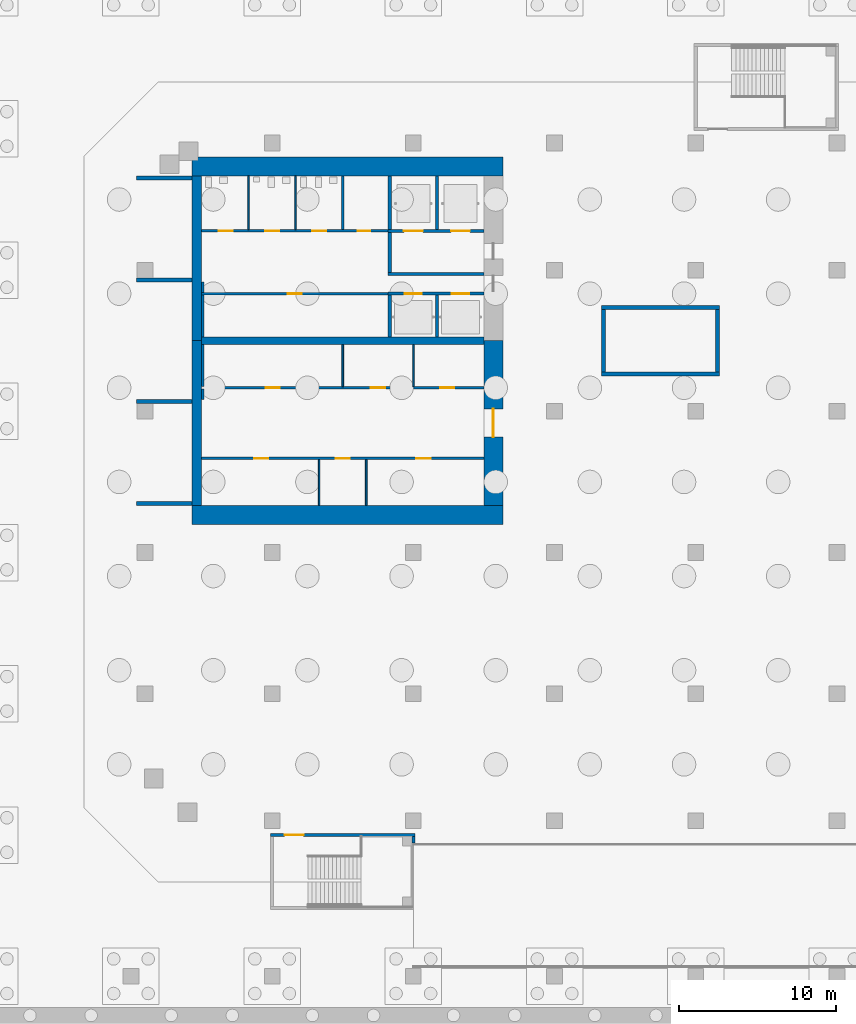
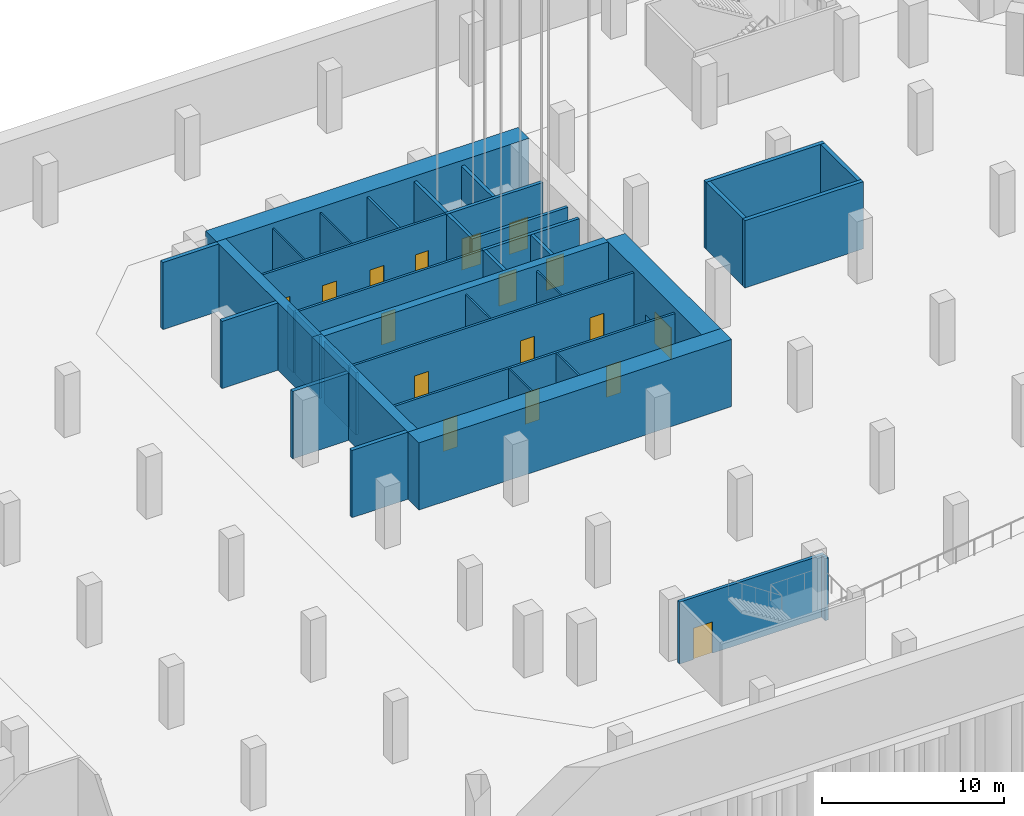
# One storey, part 20 of 30: 39 walls, 17 doors, 17 openings.
"""IFC4 building model written with IfcOpenShell, lengths in metres."""

from ifc_helpers import new_model, si_unit, direction, frame, frame_2d, origin, place, context, subcontext, project, spatial, rectangle, extrude, material, layer, layer_set, type_object, element, fill, save


model = new_model("IFC4")

# Units and contexts
model_context = context("Model", 3, precision=1e-05, world=origin(), true_north=direction((0.0, 1.0)))
body_context = subcontext(model_context, "Body", "Model", "MODEL_VIEW")
ifc_project = project(units=[si_unit("LENGTHUNIT", "METRE"), si_unit("AREAUNIT", "SQUARE_METRE"), si_unit("VOLUMEUNIT", "CUBIC_METRE"), si_unit("PLANEANGLEUNIT", "RADIAN"), si_unit("MASSUNIT", "GRAM", prefix="KILO")], contexts=[model_context])

# Site, building, storey
site_placement = place(None, origin())
site = spatial("IfcSite", under=ifc_project, at=site_placement, CompositionType="ELEMENT")
building_placement = place(site_placement, origin())
building = spatial("IfcBuilding", under=site, at=building_placement, Name="Cinnabar Reach Civic Tower", CompositionType="ELEMENT")
storey_placement = place(building_placement, frame((0.0, 0.0, -14.0)))
storey = spatial("IfcBuildingStorey", under=building, at=storey_placement, Name="B3", CompositionType="ELEMENT", Elevation=-14.0)

# Walls
ifc_material_1 = material(Name="Concrete C70", Category="concrete")
ifc_layer_1 = layer(ifc_material_1, 1.2)
ifc_layer_set_1 = layer_set([ifc_layer_1], Name="Core wall 1200 EI 180")
wall_type_1 = type_object("IfcWallType", Name="Core wall 1200 EI 180", PredefinedType="SOLIDWALL", material=ifc_layer_set_1)
for number, where, z_axis, x_axis, name in (
    (1, (3.9, 20.4, 0.0), (0.0, 0.0, 1.0), (1.0, 0.0, 0.0), "Core wall T1 B3 S"),
    (2, (23.7, 42.6, 0.0), (0.0, 0.0, 1.0), (-1.0, 0.0, 0.0), "Core wall T1 B3 N"),
):
    element("IfcWall", number, at=place(storey_placement, frame(where, z_axis=z_axis, x_axis=x_axis)), inside=storey, type_object=wall_type_1, Name=name, PredefinedType="SOLIDWALL", context=body_context, shape_type="SweptSolid", body=[
        extrude(rectangle(XDim=19.8, YDim=1.2, at=frame_2d((9.9, 0.0))), origin(), (0.0, 0.0, 1.0), 4.5),
    ])

# Wall, opening, door
wall_1_placement = place(storey_placement, frame((23.1, 21.0, 0.0), z_axis=(0.0, 0.0, 1.0), x_axis=(0.0, 1.0, 0.0)))
wall_1 = element("IfcWall", 3, at=wall_1_placement, inside=storey, type_object=wall_type_1, Name="Core wall T1 B3 E", PredefinedType="SOLIDWALL", context=body_context, shape_type="SweptSolid", body=[
    extrude(rectangle(XDim=10.5, YDim=1.2, at=frame_2d((5.25, 0.0))), origin(), (0.0, 0.0, 1.0), 4.5),
])
opening_1_placement = place(wall_1_placement, frame((4.35, 0.0, 0.0)))
opening_1 = element("IfcOpeningElement", 4, at=opening_1_placement, cuts=wall_1, Name="Opening D3004", PredefinedType="OPENING", context=body_context, shape_type="SweptSolid", body=[
    extrude(rectangle(XDim=1.8, YDim=2.1, at=frame_2d((0.9, 1.05))), frame((0.0, 0.61, 0.0), z_axis=(0.0, -1.0, 0.0), x_axis=(1.0, 0.0, 0.0)), (0.0, 0.0, 1.0), 1.22),
])
ifc_material_2 = material(Name="Timber door leaf in steel frame", Category="steel")
door_type_1 = type_object("IfcDoorType", Name="Double swing door 1800 x 2100 T1", OperationType="DOUBLE_DOOR_DOUBLE_SWING", PredefinedType="DOOR", material=ifc_material_2)
door_1_placement = place(opening_1_placement, frame((1.8, 0.0, 0.0), z_axis=(0.0, 0.0, 1.0), x_axis=(-1.0, 0.0, 0.0)))
door_1 = element("IfcDoor", 5, at=door_1_placement, inside=storey, type_object=door_type_1, Name="Door D3004", OperationType="DOUBLE_DOOR_DOUBLE_SWING", OverallHeight=2.1, OverallWidth=1.8, PredefinedType="DOOR", context=body_context, shape_type="SweptSolid", body=[
    extrude(rectangle(XDim=1.8, YDim=2.1, at=frame_2d((0.9, 1.05))), frame((0.0, 0.025, 0.0), z_axis=(0.0, -1.0, 0.0), x_axis=(1.0, 0.0, 0.0)), (0.0, 0.0, 1.0), 0.05),
])
fill(opening_1, door_1)

# Walls
ifc_material_3 = material(Name="Concrete C60", Category="concrete")
ifc_layer_2 = layer(ifc_material_3, 0.5)
ifc_layer_set_2 = layer_set([ifc_layer_2], Name="Core wall 500 EI 180")
wall_type_2 = type_object("IfcWallType", Name="Core wall 500 EI 180", PredefinedType="SOLIDWALL", material=ifc_layer_set_2)
wall_2_placement = place(storey_placement, frame((4.5, 31.5, 0.0), z_axis=(0.0, 0.0, 1.0), x_axis=(1.0, 0.0, 0.0)))
element("IfcWall", 6, at=wall_2_placement, inside=storey, type_object=wall_type_2, Name="Core spine wall T1 B3", PredefinedType="SOLIDWALL", context=body_context, shape_type="SweptSolid", body=[
    extrude(rectangle(XDim=18.0, YDim=0.5, at=frame_2d((9.0, 0.0))), origin(), (0.0, 0.0, 1.0), 4.5),
])
ifc_layer_3 = layer(ifc_material_1, 0.6)
ifc_layer_set_3 = layer_set([ifc_layer_3], Name="Core wall 600 EI 180")
wall_type_3 = type_object("IfcWallType", Name="Core wall 600 EI 180", PredefinedType="SOLIDWALL", material=ifc_layer_set_3)
for number, where, z_axis, x_axis, name in (
    (7, (4.2, 42.0, 0.0), (0.0, 0.0, 1.0), (0.0, -1.0, 0.0), "Core wall T1 B3 W"),
    (8, (4.2, 31.5, 0.0), (0.0, 0.0, 1.0), (0.0, -1.0, 0.0), "Core wall T1 B3 W2"),
):
    element("IfcWall", number, at=place(storey_placement, frame(where, z_axis=z_axis, x_axis=x_axis)), inside=storey, type_object=wall_type_3, Name=name, PredefinedType="SOLIDWALL", context=body_context, shape_type="SweptSolid", body=[
        extrude(rectangle(XDim=10.5, YDim=0.6, at=frame_2d((5.25, 0.0))), origin(), (0.0, 0.0, 1.0), 4.5),
    ])

# Wall, openings, doors
ifc_material_4 = material(Name="Gypsum board on steel studs, double layer", Category="steel")
ifc_layer_4 = layer(ifc_material_4, 0.15)
ifc_layer_set_4 = layer_set([ifc_layer_4], Name="Corridor wall 150 T1")
wall_type_4 = type_object("IfcWallType", Name="Corridor wall 150 T1", PredefinedType="PARTITIONING", material=ifc_layer_set_4)
wall_3_placement = place(storey_placement, frame((4.5, 24.0, 0.0), z_axis=(0.0, 0.0, 1.0), x_axis=(1.0, 0.0, 0.0)))
wall_3 = element("IfcWall", 9, at=wall_3_placement, inside=storey, type_object=wall_type_4, Name="Corridor wall 9", PredefinedType="PARTITIONING", context=body_context, shape_type="SweptSolid", body=[
    extrude(rectangle(XDim=18.0, YDim=0.15, at=frame_2d((9.0, 0.0))), origin(), (0.0, 0.0, 1.0), 4.15),
])
opening_2_placement = place(wall_3_placement, frame((3.35, 0.0, 0.0)))
opening_2 = element("IfcOpeningElement", 10, at=opening_2_placement, cuts=wall_3, Name="Opening D3007", PredefinedType="OPENING", context=body_context, shape_type="SweptSolid", body=[
    extrude(rectangle(XDim=0.9, YDim=2.1, at=frame_2d((0.45, 1.05))), frame((0.0, 0.085, 0.0), z_axis=(0.0, -1.0, 0.0), x_axis=(1.0, 0.0, 0.0)), (0.0, 0.0, 1.0), 0.17),
])
opening_3_placement = place(wall_3_placement, frame((8.55, 0.0, 0.0)))
opening_3 = element("IfcOpeningElement", 11, at=opening_3_placement, cuts=wall_3, Name="Opening D3008", PredefinedType="OPENING", context=body_context, shape_type="SweptSolid", body=[
    extrude(rectangle(XDim=0.9, YDim=2.1, at=frame_2d((0.45, 1.05))), frame((0.0, 0.085, 0.0), z_axis=(0.0, -1.0, 0.0), x_axis=(1.0, 0.0, 0.0)), (0.0, 0.0, 1.0), 0.17),
])
opening_4_placement = place(wall_3_placement, frame((13.7, 0.0, 0.0)))
opening_4 = element("IfcOpeningElement", 12, at=opening_4_placement, cuts=wall_3, Name="Opening D3009", PredefinedType="OPENING", context=body_context, shape_type="SweptSolid", body=[
    extrude(rectangle(XDim=0.9, YDim=2.1, at=frame_2d((0.45, 1.05))), frame((0.0, 0.085, 0.0), z_axis=(0.0, -1.0, 0.0), x_axis=(1.0, 0.0, 0.0)), (0.0, 0.0, 1.0), 0.17),
])
door_type_2 = type_object("IfcDoorType", Name="Single swing door 900 x 2100 corridor T1", OperationType="SINGLE_SWING_LEFT", PredefinedType="DOOR", material=ifc_material_2)
door_2_placement = place(opening_2_placement, frame((0.9, 0.0, 0.0), z_axis=(0.0, 0.0, 1.0), x_axis=(-1.0, 0.0, 0.0)))
door_2 = element("IfcDoor", 13, at=door_2_placement, inside=storey, type_object=door_type_2, Name="Door D3007", OperationType="SINGLE_SWING_LEFT", OverallHeight=2.1, OverallWidth=0.9, PredefinedType="DOOR", context=body_context, shape_type="SweptSolid", body=[
    extrude(rectangle(XDim=0.9, YDim=2.1, at=frame_2d((0.45, 1.05))), frame((0.0, 0.025, 0.0), z_axis=(0.0, -1.0, 0.0), x_axis=(1.0, 0.0, 0.0)), (0.0, 0.0, 1.0), 0.05),
])
fill(opening_2, door_2)
door_3_placement = place(opening_3_placement, frame((0.9, 0.0, 0.0), z_axis=(0.0, 0.0, 1.0), x_axis=(-1.0, 0.0, 0.0)))
door_3 = element("IfcDoor", 14, at=door_3_placement, inside=storey, type_object=door_type_2, Name="Door D3008", OperationType="SINGLE_SWING_LEFT", OverallHeight=2.1, OverallWidth=0.9, PredefinedType="DOOR", context=body_context, shape_type="SweptSolid", body=[
    extrude(rectangle(XDim=0.9, YDim=2.1, at=frame_2d((0.45, 1.05))), frame((0.0, 0.025, 0.0), z_axis=(0.0, -1.0, 0.0), x_axis=(1.0, 0.0, 0.0)), (0.0, 0.0, 1.0), 0.05),
])
fill(opening_3, door_3)
door_4_placement = place(opening_4_placement, frame((0.9, 0.0, 0.0), z_axis=(0.0, 0.0, 1.0), x_axis=(-1.0, 0.0, 0.0)))
door_4 = element("IfcDoor", 15, at=door_4_placement, inside=storey, type_object=door_type_2, Name="Door D3009", OperationType="SINGLE_SWING_LEFT", OverallHeight=2.1, OverallWidth=0.9, PredefinedType="DOOR", context=body_context, shape_type="SweptSolid", body=[
    extrude(rectangle(XDim=0.9, YDim=2.1, at=frame_2d((0.45, 1.05))), frame((0.0, 0.025, 0.0), z_axis=(0.0, -1.0, 0.0), x_axis=(1.0, 0.0, 0.0)), (0.0, 0.0, 1.0), 0.05),
])
fill(opening_4, door_4)

wall_4_placement = place(storey_placement, frame((4.5, 28.5, 0.0), z_axis=(0.0, 0.0, 1.0), x_axis=(1.0, 0.0, 0.0)))
wall_4 = element("IfcWall", 16, at=wall_4_placement, inside=storey, type_object=wall_type_4, Name="Corridor wall 10", PredefinedType="PARTITIONING", context=body_context, shape_type="SweptSolid", body=[
    extrude(rectangle(XDim=18.0, YDim=0.15, at=frame_2d((9.0, 0.0))), origin(), (0.0, 0.0, 1.0), 4.15),
])
opening_5_placement = place(wall_4_placement, frame((4.1, 0.0, 0.0)))
opening_5 = element("IfcOpeningElement", 17, at=opening_5_placement, cuts=wall_4, Name="Opening D3010", PredefinedType="OPENING", context=body_context, shape_type="SweptSolid", body=[
    extrude(rectangle(XDim=0.9, YDim=2.1, at=frame_2d((0.45, 1.05))), frame((0.0, 0.085, 0.0), z_axis=(0.0, -1.0, 0.0), x_axis=(1.0, 0.0, 0.0)), (0.0, 0.0, 1.0), 0.17),
])
opening_6_placement = place(wall_4_placement, frame((10.8, 0.0, 0.0)))
opening_6 = element("IfcOpeningElement", 18, at=opening_6_placement, cuts=wall_4, Name="Opening D3011", PredefinedType="OPENING", context=body_context, shape_type="SweptSolid", body=[
    extrude(rectangle(XDim=0.9, YDim=2.1, at=frame_2d((0.45, 1.05))), frame((0.0, 0.085, 0.0), z_axis=(0.0, -1.0, 0.0), x_axis=(1.0, 0.0, 0.0)), (0.0, 0.0, 1.0), 0.17),
])
opening_7_placement = place(wall_4_placement, frame((15.2, 0.0, 0.0)))
opening_7 = element("IfcOpeningElement", 19, at=opening_7_placement, cuts=wall_4, Name="Opening D3012", PredefinedType="OPENING", context=body_context, shape_type="SweptSolid", body=[
    extrude(rectangle(XDim=0.9, YDim=2.1, at=frame_2d((0.45, 1.05))), frame((0.0, 0.085, 0.0), z_axis=(0.0, -1.0, 0.0), x_axis=(1.0, 0.0, 0.0)), (0.0, 0.0, 1.0), 0.17),
])
door_5_placement = place(opening_5_placement, origin())
door_5 = element("IfcDoor", 20, at=door_5_placement, inside=storey, type_object=door_type_2, Name="Door D3010", OperationType="SINGLE_SWING_RIGHT", OverallHeight=2.1, OverallWidth=0.9, PredefinedType="DOOR", context=body_context, shape_type="SweptSolid", body=[
    extrude(rectangle(XDim=0.9, YDim=2.1, at=frame_2d((0.45, 1.05))), frame((0.0, 0.025, 0.0), z_axis=(0.0, -1.0, 0.0), x_axis=(1.0, 0.0, 0.0)), (0.0, 0.0, 1.0), 0.05),
])
fill(opening_5, door_5)
door_6_placement = place(opening_6_placement, origin())
door_6 = element("IfcDoor", 21, at=door_6_placement, inside=storey, type_object=door_type_2, Name="Door D3011", OperationType="SINGLE_SWING_LEFT", OverallHeight=2.1, OverallWidth=0.9, PredefinedType="DOOR", context=body_context, shape_type="SweptSolid", body=[
    extrude(rectangle(XDim=0.9, YDim=2.1, at=frame_2d((0.45, 1.05))), frame((0.0, 0.025, 0.0), z_axis=(0.0, -1.0, 0.0), x_axis=(1.0, 0.0, 0.0)), (0.0, 0.0, 1.0), 0.05),
])
fill(opening_6, door_6)
door_7_placement = place(opening_7_placement, origin())
door_7 = element("IfcDoor", 22, at=door_7_placement, inside=storey, type_object=door_type_2, Name="Door D3012", OperationType="SINGLE_SWING_RIGHT", OverallHeight=2.1, OverallWidth=0.9, PredefinedType="DOOR", context=body_context, shape_type="SweptSolid", body=[
    extrude(rectangle(XDim=0.9, YDim=2.1, at=frame_2d((0.45, 1.05))), frame((0.0, 0.025, 0.0), z_axis=(0.0, -1.0, 0.0), x_axis=(1.0, 0.0, 0.0)), (0.0, 0.0, 1.0), 0.05),
])
fill(opening_7, door_7)

# Wall, opening, door
wall_5_placement = place(storey_placement, frame((4.5, 34.5, 0.0), z_axis=(0.0, 0.0, 1.0), x_axis=(1.0, 0.0, 0.0)))
wall_5 = element("IfcWall", 23, at=wall_5_placement, inside=storey, type_object=wall_type_4, Name="Corridor wall 11", PredefinedType="PARTITIONING", context=body_context, shape_type="SweptSolid", body=[
    extrude(rectangle(XDim=11.9, YDim=0.15, at=frame_2d((5.95, 0.0))), origin(), (0.0, 0.0, 1.0), 4.15),
])
opening_8_placement = place(wall_5_placement, frame((5.5, 0.0, 0.0)))
opening_8 = element("IfcOpeningElement", 24, at=opening_8_placement, cuts=wall_5, Name="Opening D3013", PredefinedType="OPENING", context=body_context, shape_type="SweptSolid", body=[
    extrude(rectangle(XDim=0.9, YDim=2.1, at=frame_2d((0.45, 1.05))), frame((0.0, 0.085, 0.0), z_axis=(0.0, -1.0, 0.0), x_axis=(1.0, 0.0, 0.0)), (0.0, 0.0, 1.0), 0.17),
])
door_8_placement = place(opening_8_placement, frame((0.9, 0.0, 0.0), z_axis=(0.0, 0.0, 1.0), x_axis=(-1.0, 0.0, 0.0)))
door_8 = element("IfcDoor", 25, at=door_8_placement, inside=storey, type_object=door_type_2, Name="Door D3013", OperationType="SINGLE_SWING_RIGHT", OverallHeight=2.1, OverallWidth=0.9, PredefinedType="DOOR", context=body_context, shape_type="SweptSolid", body=[
    extrude(rectangle(XDim=0.9, YDim=2.1, at=frame_2d((0.45, 1.05))), frame((0.0, 0.025, 0.0), z_axis=(0.0, -1.0, 0.0), x_axis=(1.0, 0.0, 0.0)), (0.0, 0.0, 1.0), 0.05),
])
fill(opening_8, door_8)

# Wall, openings, doors
wall_6_placement = place(storey_placement, frame((4.5, 38.5, 0.0), z_axis=(0.0, 0.0, 1.0), x_axis=(1.0, 0.0, 0.0)))
wall_6 = element("IfcWall", 26, at=wall_6_placement, inside=storey, type_object=wall_type_4, Name="Corridor wall 12", PredefinedType="PARTITIONING", context=body_context, shape_type="SweptSolid", body=[
    extrude(rectangle(XDim=11.9, YDim=0.15, at=frame_2d((5.95, 0.0))), origin(), (0.0, 0.0, 1.0), 4.15),
])
opening_9_placement = place(wall_6_placement, frame((1.1, 0.0, 0.0)))
opening_9 = element("IfcOpeningElement", 27, at=opening_9_placement, cuts=wall_6, Name="Opening D3014", PredefinedType="OPENING", context=body_context, shape_type="SweptSolid", body=[
    extrude(rectangle(XDim=0.9, YDim=2.1, at=frame_2d((0.45, 1.05))), frame((0.0, 0.085, 0.0), z_axis=(0.0, -1.0, 0.0), x_axis=(1.0, 0.0, 0.0)), (0.0, 0.0, 1.0), 0.17),
])
opening_10_placement = place(wall_6_placement, frame((4.05, 0.0, 0.0)))
opening_10 = element("IfcOpeningElement", 28, at=opening_10_placement, cuts=wall_6, Name="Opening D3015", PredefinedType="OPENING", context=body_context, shape_type="SweptSolid", body=[
    extrude(rectangle(XDim=0.9, YDim=2.1, at=frame_2d((0.45, 1.05))), frame((0.0, 0.085, 0.0), z_axis=(0.0, -1.0, 0.0), x_axis=(1.0, 0.0, 0.0)), (0.0, 0.0, 1.0), 0.17),
])
opening_11_placement = place(wall_6_placement, frame((7.05, 0.0, 0.0)))
opening_11 = element("IfcOpeningElement", 29, at=opening_11_placement, cuts=wall_6, Name="Opening D3016", PredefinedType="OPENING", context=body_context, shape_type="SweptSolid", body=[
    extrude(rectangle(XDim=0.9, YDim=2.1, at=frame_2d((0.45, 1.05))), frame((0.0, 0.085, 0.0), z_axis=(0.0, -1.0, 0.0), x_axis=(1.0, 0.0, 0.0)), (0.0, 0.0, 1.0), 0.17),
])
opening_12_placement = place(wall_6_placement, frame((9.95, 0.0, 0.0)))
opening_12 = element("IfcOpeningElement", 30, at=opening_12_placement, cuts=wall_6, Name="Opening D3017", PredefinedType="OPENING", context=body_context, shape_type="SweptSolid", body=[
    extrude(rectangle(XDim=0.8, YDim=2.1, at=frame_2d((0.4, 1.05))), frame((0.0, 0.085, 0.0), z_axis=(0.0, -1.0, 0.0), x_axis=(1.0, 0.0, 0.0)), (0.0, 0.0, 1.0), 0.17),
])
door_type_3 = type_object("IfcDoorType", Name="Riser access door 800 x 2100 T1", OperationType="SINGLE_SWING_LEFT", PredefinedType="DOOR", material=ifc_material_2)
door_9_placement = place(opening_12_placement, origin())
door_9 = element("IfcDoor", 31, at=door_9_placement, inside=storey, type_object=door_type_3, Name="Door D3017", OperationType="SINGLE_SWING_RIGHT", OverallHeight=2.1, OverallWidth=0.8, PredefinedType="DOOR", context=body_context, shape_type="SweptSolid", body=[
    extrude(rectangle(XDim=0.8, YDim=2.1, at=frame_2d((0.4, 1.05))), frame((0.0, 0.025, 0.0), z_axis=(0.0, -1.0, 0.0), x_axis=(1.0, 0.0, 0.0)), (0.0, 0.0, 1.0), 0.05),
])
fill(opening_12, door_9)
door_10_placement = place(opening_9_placement, origin())
door_10 = element("IfcDoor", 32, at=door_10_placement, inside=storey, type_object=door_type_2, Name="Door D3014", OperationType="SINGLE_SWING_LEFT", OverallHeight=2.1, OverallWidth=0.9, PredefinedType="DOOR", context=body_context, shape_type="SweptSolid", body=[
    extrude(rectangle(XDim=0.9, YDim=2.1, at=frame_2d((0.45, 1.05))), frame((0.0, 0.025, 0.0), z_axis=(0.0, -1.0, 0.0), x_axis=(1.0, 0.0, 0.0)), (0.0, 0.0, 1.0), 0.05),
])
fill(opening_9, door_10)
door_11_placement = place(opening_10_placement, origin())
door_11 = element("IfcDoor", 33, at=door_11_placement, inside=storey, type_object=door_type_2, Name="Door D3015", OperationType="SINGLE_SWING_LEFT", OverallHeight=2.1, OverallWidth=0.9, PredefinedType="DOOR", context=body_context, shape_type="SweptSolid", body=[
    extrude(rectangle(XDim=0.9, YDim=2.1, at=frame_2d((0.45, 1.05))), frame((0.0, 0.025, 0.0), z_axis=(0.0, -1.0, 0.0), x_axis=(1.0, 0.0, 0.0)), (0.0, 0.0, 1.0), 0.05),
])
fill(opening_10, door_11)
door_12_placement = place(opening_11_placement, origin())
door_12 = element("IfcDoor", 34, at=door_12_placement, inside=storey, type_object=door_type_2, Name="Door D3016", OperationType="SINGLE_SWING_LEFT", OverallHeight=2.1, OverallWidth=0.9, PredefinedType="DOOR", context=body_context, shape_type="SweptSolid", body=[
    extrude(rectangle(XDim=0.9, YDim=2.1, at=frame_2d((0.45, 1.05))), frame((0.0, 0.025, 0.0), z_axis=(0.0, -1.0, 0.0), x_axis=(1.0, 0.0, 0.0)), (0.0, 0.0, 1.0), 0.05),
])
fill(opening_11, door_12)

# Walls
wall_7_placement = place(storey_placement, frame((4.575, 34.575, 0.0), z_axis=(0.0, 0.0, 1.0), x_axis=(0.0, 1.0, 0.0)))
element("IfcWall", 35, at=wall_7_placement, inside=storey, type_object=wall_type_4, Name="Corridor wall 13", PredefinedType="PARTITIONING", context=body_context, shape_type="SweptSolid", body=[
    extrude(rectangle(XDim=0.675, YDim=0.15, at=frame_2d((0.3375, 0.0))), origin(), (0.0, 0.0, 1.0), 4.15),
])
wall_8_placement = place(storey_placement, frame((4.575, 31.75, 0.0), z_axis=(0.0, 0.0, 1.0), x_axis=(0.0, 1.0, 0.0)))
element("IfcWall", 36, at=wall_8_placement, inside=storey, type_object=wall_type_4, Name="Corridor wall 14", PredefinedType="PARTITIONING", context=body_context, shape_type="SweptSolid", body=[
    extrude(rectangle(XDim=2.675, YDim=0.15, at=frame_2d((1.3375, 0.0))), origin(), (0.0, 0.0, 1.0), 4.15),
])
wall_9_placement = place(storey_placement, frame((4.575, 27.75, 0.0), z_axis=(0.0, 0.0, 1.0), x_axis=(0.0, 1.0, 0.0)))
element("IfcWall", 37, at=wall_9_placement, inside=storey, type_object=wall_type_4, Name="Corridor wall 15", PredefinedType="PARTITIONING", context=body_context, shape_type="SweptSolid", body=[
    extrude(rectangle(XDim=0.675, YDim=0.15, at=frame_2d((0.3375, 0.0))), origin(), (0.0, 0.0, 1.0), 4.15),
])
wall_10_placement = place(storey_placement, frame((4.575, 28.575, 0.0), z_axis=(0.0, 0.0, 1.0), x_axis=(0.0, 1.0, 0.0)))
element("IfcWall", 38, at=wall_10_placement, inside=storey, type_object=wall_type_4, Name="Corridor wall 16", PredefinedType="PARTITIONING", context=body_context, shape_type="SweptSolid", body=[
    extrude(rectangle(XDim=2.675, YDim=0.15, at=frame_2d((1.3375, 0.0))), origin(), (0.0, 0.0, 1.0), 4.15),
])

# Wall, openings, doors
ifc_material_5 = material(Name="Blockwork", Category="masonry")
ifc_layer_5 = layer(ifc_material_5, 0.2)
ifc_layer_set_5 = layer_set([ifc_layer_5], Name="Lift shaft wall 200 T1")
wall_type_5 = type_object("IfcWallType", Name="Lift shaft wall 200 T1", PredefinedType="PARTITIONING", material=ifc_layer_set_5)
wall_11_placement = place(storey_placement, frame((16.4, 34.5, 0.0), z_axis=(0.0, 0.0, 1.0), x_axis=(1.0, 0.0, 0.0)))
wall_11 = element("IfcWall", 39, at=wall_11_placement, inside=storey, type_object=wall_type_5, Name="Lift shaft wall 4", PredefinedType="PARTITIONING", context=body_context, shape_type="SweptSolid", body=[
    extrude(rectangle(XDim=6.1, YDim=0.2, at=frame_2d((3.05, 0.0))), origin(), (0.0, 0.0, 1.0), 4.15),
])
opening_13_placement = place(wall_11_placement, frame((1.05, 0.0, 0.0)))
opening_13 = element("IfcOpeningElement", 40, at=opening_13_placement, cuts=wall_11, Name="Opening D3000", PredefinedType="OPENING", context=body_context, shape_type="SweptSolid", body=[
    extrude(rectangle(XDim=1.1, YDim=2.1, at=frame_2d((0.55, 1.05))), frame((0.0, 0.11, 0.0), z_axis=(0.0, -1.0, 0.0), x_axis=(1.0, 0.0, 0.0)), (0.0, 0.0, 1.0), 0.22),
])
opening_14_placement = place(wall_11_placement, frame((4.05, 0.0, 0.0)))
opening_14 = element("IfcOpeningElement", 41, at=opening_14_placement, cuts=wall_11, Name="Opening D3001", PredefinedType="OPENING", context=body_context, shape_type="SweptSolid", body=[
    extrude(rectangle(XDim=1.1, YDim=2.1, at=frame_2d((0.55, 1.05))), frame((0.0, 0.11, 0.0), z_axis=(0.0, -1.0, 0.0), x_axis=(1.0, 0.0, 0.0)), (0.0, 0.0, 1.0), 0.22),
])
ifc_material_6 = material(Name="Stainless steel sliding door", Category="steel")
door_type_4 = type_object("IfcDoorType", Name="Lift landing door 1100 x 2100 T1", OperationType="SLIDING_TO_LEFT", PredefinedType="DOOR", material=ifc_material_6)
door_13_placement = place(opening_13_placement, origin())
door_13 = element("IfcDoor", 42, at=door_13_placement, inside=storey, type_object=door_type_4, Name="Lift landing door SV1 B3", OperationType="SLIDING_TO_LEFT", OverallHeight=2.1, OverallWidth=1.1, PredefinedType="DOOR", context=body_context, shape_type="SweptSolid", body=[
    extrude(rectangle(XDim=1.1, YDim=2.1, at=frame_2d((0.55, 1.05))), frame((0.0, 0.025, 0.0), z_axis=(0.0, -1.0, 0.0), x_axis=(1.0, 0.0, 0.0)), (0.0, 0.0, 1.0), 0.05),
])
fill(opening_13, door_13)
door_14_placement = place(opening_14_placement, origin())
door_14 = element("IfcDoor", 43, at=door_14_placement, inside=storey, type_object=door_type_4, Name="Lift landing door SV2 B3", OperationType="SLIDING_TO_LEFT", OverallHeight=2.1, OverallWidth=1.1, PredefinedType="DOOR", context=body_context, shape_type="SweptSolid", body=[
    extrude(rectangle(XDim=1.1, YDim=2.1, at=frame_2d((0.55, 1.05))), frame((0.0, 0.025, 0.0), z_axis=(0.0, -1.0, 0.0), x_axis=(1.0, 0.0, 0.0)), (0.0, 0.0, 1.0), 0.05),
])
fill(opening_14, door_14)

# Walls
for number, where, z_axis, x_axis, name in (
    (44, (16.5, 38.6, 0.0), (0.0, 0.0, 1.0), (0.0, 1.0, 0.0), "Lift shaft wall 5"),
    (45, (19.5, 38.6, 0.0), (0.0, 0.0, 1.0), (0.0, 1.0, 0.0), "Lift shaft wall 6"),
):
    element("IfcWall", number, at=place(storey_placement, frame(where, z_axis=z_axis, x_axis=x_axis)), inside=storey, type_object=wall_type_5, Name=name, PredefinedType="PARTITIONING", context=body_context, shape_type="SweptSolid", body=[
        extrude(rectangle(XDim=3.4, YDim=0.2, at=frame_2d((1.7, 0.0))), origin(), (0.0, 0.0, 1.0), 4.15),
    ])
for number, where, z_axis, x_axis, name in (
    (46, (16.5, 31.75, 0.0), (0.0, 0.0, 1.0), (0.0, 1.0, 0.0), "Lift shaft wall 7"),
    (47, (19.5, 31.75, 0.0), (0.0, 0.0, 1.0), (0.0, 1.0, 0.0), "Lift shaft wall 8"),
):
    element("IfcWall", number, at=place(storey_placement, frame(where, z_axis=z_axis, x_axis=x_axis)), inside=storey, type_object=wall_type_5, Name=name, PredefinedType="PARTITIONING", context=body_context, shape_type="SweptSolid", body=[
        extrude(rectangle(XDim=2.65, YDim=0.2, at=frame_2d((1.325, 0.0))), origin(), (0.0, 0.0, 1.0), 4.15),
    ])
ifc_material_7 = material(Name="Gypsum board on steel studs", Category="steel")
ifc_layer_6 = layer(ifc_material_7, 0.1)
ifc_layer_set_6 = layer_set([ifc_layer_6], Name="Partition wall 100 T1")
wall_type_6 = type_object("IfcWallType", Name="Partition wall 100 T1", PredefinedType="PARTITIONING", material=ifc_layer_set_6)
for number, where, z_axis, x_axis, name in (
    (48, (7.5, 38.575, 0.0), (0.0, 0.0, 1.0), (0.0, 1.0, 0.0), "Partition wall 18"),
    (49, (10.5, 38.575, 0.0), (0.0, 0.0, 1.0), (0.0, 1.0, 0.0), "Partition wall 19"),
):
    element("IfcWall", number, at=place(storey_placement, frame(where, z_axis=z_axis, x_axis=x_axis)), inside=storey, type_object=wall_type_6, Name=name, PredefinedType="PARTITIONING", context=body_context, shape_type="SweptSolid", body=[
        extrude(rectangle(XDim=3.425, YDim=0.1, at=frame_2d((1.7125, 0.0))), origin(), (0.0, 0.0, 1.0), 4.15),
    ])
wall_12_placement = place(storey_placement, frame((12.0, 21.0, 0.0), z_axis=(0.0, 0.0, 1.0), x_axis=(0.0, 1.0, 0.0)))
element("IfcWall", 50, at=wall_12_placement, inside=storey, type_object=wall_type_6, Name="Partition wall 20", PredefinedType="PARTITIONING", context=body_context, shape_type="SweptSolid", body=[
    extrude(rectangle(XDim=2.925, YDim=0.1, at=frame_2d((1.4625, 0.0))), origin(), (0.0, 0.0, 1.0), 4.15),
])
wall_13_placement = place(storey_placement, frame((13.5, 28.575, 0.0), z_axis=(0.0, 0.0, 1.0), x_axis=(0.0, 1.0, 0.0)))
element("IfcWall", 51, at=wall_13_placement, inside=storey, type_object=wall_type_6, Name="Partition wall 21", PredefinedType="PARTITIONING", context=body_context, shape_type="SweptSolid", body=[
    extrude(rectangle(XDim=2.675, YDim=0.1, at=frame_2d((1.3375, 0.0))), origin(), (0.0, 0.0, 1.0), 4.15),
])
wall_14_placement = place(storey_placement, frame((15.0, 21.0, 0.0), z_axis=(0.0, 0.0, 1.0), x_axis=(0.0, 1.0, 0.0)))
element("IfcWall", 52, at=wall_14_placement, inside=storey, type_object=wall_type_6, Name="Partition wall 22", PredefinedType="PARTITIONING", context=body_context, shape_type="SweptSolid", body=[
    extrude(rectangle(XDim=2.925, YDim=0.1, at=frame_2d((1.4625, 0.0))), origin(), (0.0, 0.0, 1.0), 4.15),
])
wall_15_placement = place(storey_placement, frame((18.0, 28.575, 0.0), z_axis=(0.0, 0.0, 1.0), x_axis=(0.0, 1.0, 0.0)))
element("IfcWall", 53, at=wall_15_placement, inside=storey, type_object=wall_type_6, Name="Partition wall 23", PredefinedType="PARTITIONING", context=body_context, shape_type="SweptSolid", body=[
    extrude(rectangle(XDim=2.675, YDim=0.1, at=frame_2d((1.3375, 0.0))), origin(), (0.0, 0.0, 1.0), 4.15),
])

# Wall, opening, door
ifc_material_8 = material(Name="Concrete C40", Category="concrete")
ifc_layer_7 = layer(ifc_material_8, 0.2)
ifc_layer_set_7 = layer_set([ifc_layer_7], Name="Podium stair shaft wall 200 EI 120")
wall_type_7 = type_object("IfcWallType", Name="Podium stair shaft wall 200 EI 120", PredefinedType="SOLIDWALL", material=ifc_layer_set_7)
wall_16_placement = place(storey_placement, frame((8.9, 0.0, 0.0), z_axis=(0.0, 0.0, 1.0), x_axis=(1.0, 0.0, 0.0)))
wall_16 = element("IfcWall", 54, at=wall_16_placement, inside=storey, type_object=wall_type_7, Name="Wall B3 10", PredefinedType="SOLIDWALL", context=body_context, shape_type="SweptSolid", body=[
    extrude(rectangle(XDim=9.2, YDim=0.2, at=frame_2d((4.6, 0.0))), origin(), (0.0, 0.0, 1.0), 4.15),
])
opening_15_placement = place(wall_16_placement, frame((0.9, 0.0, 0.0)))
opening_15 = element("IfcOpeningElement", 55, at=opening_15_placement, cuts=wall_16, Name="Opening D1323", PredefinedType="OPENING", context=body_context, shape_type="SweptSolid", body=[
    extrude(rectangle(XDim=1.2, YDim=2.1, at=frame_2d((0.6, 1.05))), frame((0.0, 0.11, 0.0), z_axis=(0.0, -1.0, 0.0), x_axis=(1.0, 0.0, 0.0)), (0.0, 0.0, 1.0), 0.22),
])
ifc_material_9 = material(Name="Painted steel door leaf", Category="steel")
door_type_5 = type_object("IfcDoorType", Name="Podium single door 1200x2100", OperationType="SINGLE_SWING_LEFT", PredefinedType="DOOR", material=ifc_material_9)
door_15_placement = place(opening_15_placement, frame((1.2, 0.0, 0.0), z_axis=(0.0, 0.0, 1.0), x_axis=(-1.0, 0.0, 0.0)))
door_15 = element("IfcDoor", 56, at=door_15_placement, inside=storey, type_object=door_type_5, Name="Door D1323", OperationType="SINGLE_SWING_LEFT", OverallHeight=2.1, OverallWidth=1.2, PredefinedType="DOOR", context=body_context, shape_type="SweptSolid", body=[
    extrude(rectangle(XDim=1.2, YDim=2.1, at=frame_2d((0.6, 1.05))), frame((0.0, 0.025, 0.0), z_axis=(0.0, -1.0, 0.0), x_axis=(1.0, 0.0, 0.0)), (0.0, 0.0, 1.0), 0.05),
])
fill(opening_15, door_15)

# Walls
wall_17_placement = place(storey_placement, frame((18.0, -0.5, 0.0), z_axis=(0.0, 0.0, 1.0), x_axis=(0.0, 1.0, 0.0)))
element("IfcWall", 57, at=wall_17_placement, inside=storey, type_object=wall_type_7, Name="Wall B3 11", PredefinedType="SOLIDWALL", context=body_context, shape_type="SweptSolid", body=[
    extrude(rectangle(XDim=0.4, YDim=0.2, at=frame_2d((0.2, 0.0))), origin(), (0.0, 0.0, 1.0), 4.15),
])
ifc_layer_8 = layer(ifc_material_8, 0.2)
ifc_layer_set_8 = layer_set([ifc_layer_8], Name="Refuge compartment wall 200 T1")
wall_type_8 = type_object("IfcWallType", Name="Refuge compartment wall 200 T1", PredefinedType="PARTITIONING", material=ifc_layer_set_8)
wall_18_placement = place(storey_placement, frame((16.4, 35.75, 0.0), z_axis=(0.0, 0.0, 1.0), x_axis=(1.0, 0.0, 0.0)))
element("IfcWall", 58, at=wall_18_placement, inside=storey, type_object=wall_type_8, Name="Refuge compartment wall 1", PredefinedType="PARTITIONING", context=body_context, shape_type="SweptSolid", body=[
    extrude(rectangle(XDim=6.1, YDim=0.2, at=frame_2d((3.05, 0.0))), origin(), (0.0, 0.0, 1.0), 4.15),
])

# Wall, openings, doors
wall_19_placement = place(storey_placement, frame((16.4, 38.5, 0.0), z_axis=(0.0, 0.0, 1.0), x_axis=(1.0, 0.0, 0.0)))
wall_19 = element("IfcWall", 59, at=wall_19_placement, inside=storey, type_object=wall_type_8, Name="Refuge compartment wall 2", PredefinedType="PARTITIONING", context=body_context, shape_type="SweptSolid", body=[
    extrude(rectangle(XDim=6.1, YDim=0.2, at=frame_2d((3.05, 0.0))), origin(), (0.0, 0.0, 1.0), 4.15),
])
opening_16_placement = place(wall_19_placement, frame((1.0, 0.0, 0.0)))
opening_16 = element("IfcOpeningElement", 60, at=opening_16_placement, cuts=wall_19, Name="Opening D3002", PredefinedType="OPENING", context=body_context, shape_type="SweptSolid", body=[
    extrude(rectangle(XDim=1.2, YDim=2.1, at=frame_2d((0.6, 1.05))), frame((0.0, 0.11, 0.0), z_axis=(0.0, -1.0, 0.0), x_axis=(1.0, 0.0, 0.0)), (0.0, 0.0, 1.0), 0.22),
])
opening_17_placement = place(wall_19_placement, frame((4.0, 0.0, 0.0)))
opening_17 = element("IfcOpeningElement", 61, at=opening_17_placement, cuts=wall_19, Name="Opening D3003", PredefinedType="OPENING", context=body_context, shape_type="SweptSolid", body=[
    extrude(rectangle(XDim=1.2, YDim=2.1, at=frame_2d((0.6, 1.05))), frame((0.0, 0.11, 0.0), z_axis=(0.0, -1.0, 0.0), x_axis=(1.0, 0.0, 0.0)), (0.0, 0.0, 1.0), 0.22),
])
door_type_6 = type_object("IfcDoorType", Name="Firefighting lift landing door 1200 x 2100 T1", OperationType="SLIDING_TO_LEFT", PredefinedType="DOOR", material=ifc_material_6)
door_16_placement = place(opening_16_placement, origin())
door_16 = element("IfcDoor", 62, at=door_16_placement, inside=storey, type_object=door_type_6, Name="Lift landing door FF1 B3", OperationType="SLIDING_TO_LEFT", OverallHeight=2.1, OverallWidth=1.2, PredefinedType="DOOR", context=body_context, shape_type="SweptSolid", body=[
    extrude(rectangle(XDim=1.2, YDim=2.1, at=frame_2d((0.6, 1.05))), frame((0.0, 0.025, 0.0), z_axis=(0.0, -1.0, 0.0), x_axis=(1.0, 0.0, 0.0)), (0.0, 0.0, 1.0), 0.05),
])
fill(opening_16, door_16)
door_17_placement = place(opening_17_placement, origin())
door_17 = element("IfcDoor", 63, at=door_17_placement, inside=storey, type_object=door_type_6, Name="Lift landing door FF2 B3", OperationType="SLIDING_TO_LEFT", OverallHeight=2.1, OverallWidth=1.2, PredefinedType="DOOR", context=body_context, shape_type="SweptSolid", body=[
    extrude(rectangle(XDim=1.2, YDim=2.1, at=frame_2d((0.6, 1.05))), frame((0.0, 0.025, 0.0), z_axis=(0.0, -1.0, 0.0), x_axis=(1.0, 0.0, 0.0)), (0.0, 0.0, 1.0), 0.05),
])
fill(opening_17, door_17)

# Walls
wall_20_placement = place(storey_placement, frame((16.5, 35.85, 0.0), z_axis=(0.0, 0.0, 1.0), x_axis=(0.0, 1.0, 0.0)))
element("IfcWall", 64, at=wall_20_placement, inside=storey, type_object=wall_type_8, Name="Refuge compartment wall 3", PredefinedType="PARTITIONING", context=body_context, shape_type="SweptSolid", body=[
    extrude(rectangle(XDim=2.55, YDim=0.2, at=frame_2d((1.275, 0.0))), origin(), (0.0, 0.0, 1.0), 4.15),
])
ifc_layer_9 = layer(ifc_material_5, 0.15)
ifc_layer_set_9 = layer_set([ifc_layer_9], Name="Riser wall 150 T1")
wall_type_9 = type_object("IfcWallType", Name="Riser wall 150 T1", PredefinedType="PARTITIONING", material=ifc_layer_set_9)
wall_21_placement = place(storey_placement, frame((13.5, 38.575, 0.0), z_axis=(0.0, 0.0, 1.0), x_axis=(0.0, 1.0, 0.0)))
element("IfcWall", 65, at=wall_21_placement, inside=storey, type_object=wall_type_9, Name="Riser wall 17", PredefinedType="PARTITIONING", context=body_context, shape_type="SweptSolid", body=[
    extrude(rectangle(XDim=3.425, YDim=0.15, at=frame_2d((1.7125, 0.0))), origin(), (0.0, 0.0, 1.0), 4.15),
])
ifc_layer_10 = layer(ifc_material_3, 0.25)
ifc_layer_set_10 = layer_set([ifc_layer_10], Name="Stair shaft wall 250 EI 120")
wall_type_10 = type_object("IfcWallType", Name="Stair shaft wall 250 EI 120", PredefinedType="SOLIDWALL", material=ifc_layer_set_10)
for number, where, z_axis, x_axis, name in (
    (66, (0.36, 21.125, 0.0), (0.0, 0.0, 1.0), (1.0, 0.0, 0.0), "Stair shaft wall T1-S1 B3"),
    (67, (3.9, 27.625, 0.0), (0.0, 0.0, 1.0), (-1.0, 0.0, 0.0), "Stair shaft wall T1-S1 B3"),
    (68, (0.36, 35.375, 0.0), (0.0, 0.0, 1.0), (1.0, 0.0, 0.0), "Stair shaft wall T1-S2 B3"),
    (69, (3.9, 41.875, 0.0), (0.0, 0.0, 1.0), (-1.0, 0.0, 0.0), "Stair shaft wall T1-S2 B3"),
):
    element("IfcWall", number, at=place(storey_placement, frame(where, z_axis=z_axis, x_axis=x_axis)), inside=storey, type_object=wall_type_10, Name=name, PredefinedType="SOLIDWALL", context=body_context, shape_type="SweptSolid", body=[
        extrude(rectangle(XDim=3.54, YDim=0.25, at=frame_2d((1.77, 0.0))), origin(), (0.0, 0.0, 1.0), 4.5),
    ])
for number, where, z_axis, x_axis, name in (
    (70, (30.0, 29.375, 0.0), (0.0, 0.0, 1.0), (1.0, 0.0, 0.0), "Stair shaft wall T1-S3 B3"),
    (71, (37.5, 33.625, 0.0), (0.0, 0.0, 1.0), (-1.0, 0.0, 0.0), "Stair shaft wall T1-S3 B3"),
):
    element("IfcWall", number, at=place(storey_placement, frame(where, z_axis=z_axis, x_axis=x_axis)), inside=storey, type_object=wall_type_10, Name=name, PredefinedType="SOLIDWALL", context=body_context, shape_type="SweptSolid", body=[
        extrude(rectangle(XDim=7.5, YDim=0.25, at=frame_2d((3.75, 0.0))), origin(), (0.0, 0.0, 1.0), 4.5),
    ])
for number, where, z_axis, x_axis, name in (
    (72, (37.375, 29.5, 0.0), (0.0, 0.0, 1.0), (0.0, 1.0, 0.0), "Stair shaft wall T1-S3 B3"),
    (73, (30.125, 33.5, 0.0), (0.0, 0.0, 1.0), (0.0, -1.0, 0.0), "Stair shaft wall T1-S3 B3"),
):
    element("IfcWall", number, at=place(storey_placement, frame(where, z_axis=z_axis, x_axis=x_axis)), inside=storey, type_object=wall_type_10, Name=name, PredefinedType="SOLIDWALL", context=body_context, shape_type="SweptSolid", body=[
        extrude(rectangle(XDim=4.0, YDim=0.25, at=frame_2d((2.0, 0.0))), origin(), (0.0, 0.0, 1.0), 4.5),
    ])

save(model, "model.ifc")
